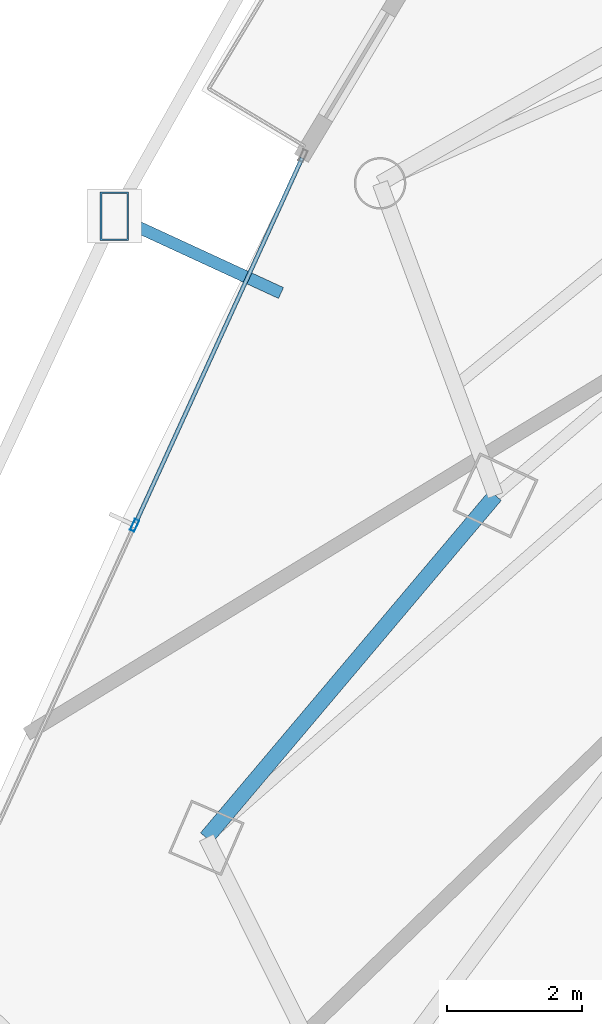
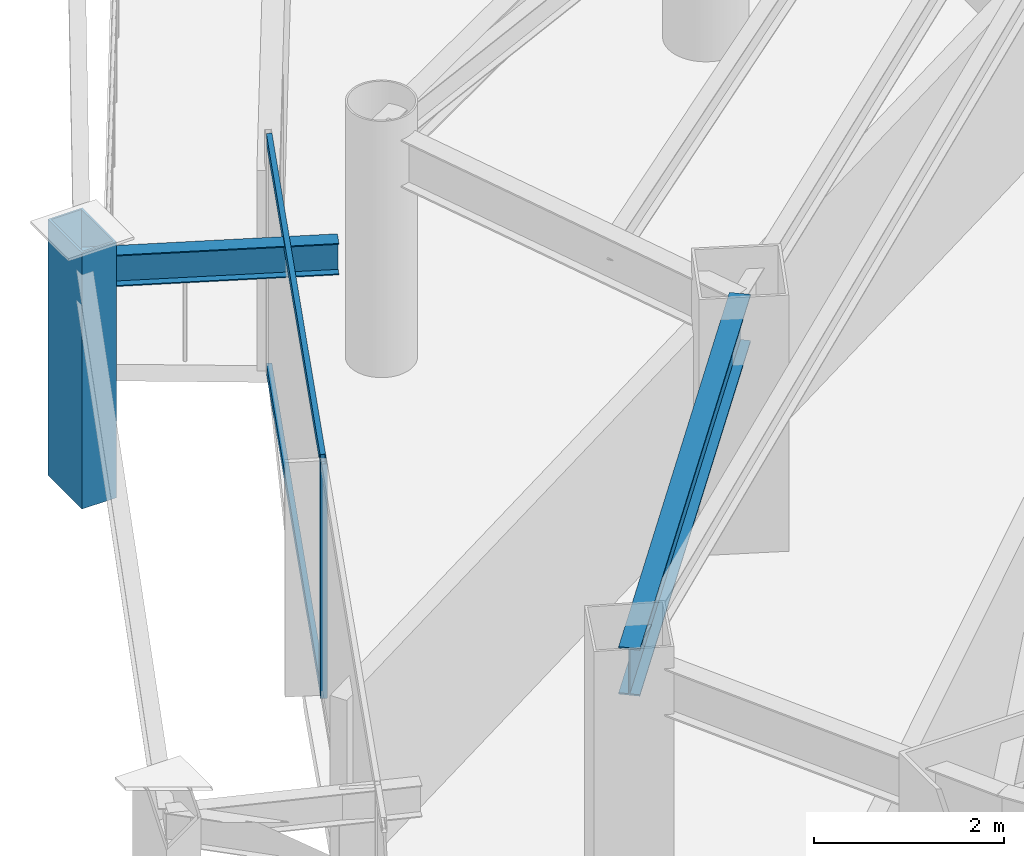
# One storey, part 8 of 33: 4 members, 2 beams, 1 element without a shape of its own.
"""IFC4 building model written with IfcOpenShell, lengths in metres."""

from ifc_helpers import new_model, si_unit, direction, frame, origin, origin_2d, place, context, subcontext, project, spatial, hollow_rectangle, i_section, extrude, material, layer, layer_set, material_profile, profile_set, type_object, element, aggregate, save


model = new_model("IFC4")

# Units and contexts
model_context = context("Model", 3, precision=1e-05, world=origin(), true_north=direction((0.0, 1.0)))
body_context = subcontext(model_context, "Body", "Model", "MODEL_VIEW")
ifc_project = project(units=[si_unit("LENGTHUNIT", "METRE"), si_unit("AREAUNIT", "SQUARE_METRE"), si_unit("VOLUMEUNIT", "CUBIC_METRE"), si_unit("PLANEANGLEUNIT", "RADIAN"), si_unit("MASSUNIT", "GRAM", prefix="KILO")], contexts=[model_context])

# Site, building, storey
site_placement = place(None, origin())
site = spatial("IfcSite", under=ifc_project, at=site_placement, CompositionType="ELEMENT")
building_placement = place(site_placement, origin())
building = spatial("IfcBuilding", under=site, at=building_placement, Name="Orvanel Arch Residences", CompositionType="ELEMENT")
storey_placement = place(building_placement, frame((0.0, 0.0, 93.949951171875)))
storey = spatial("IfcBuildingStorey", under=building, at=storey_placement, Name="L26", CompositionType="ELEMENT", Elevation=93.949951171875)

# Member
ifc_material_1 = material(Name="Structural steel AS/NZS 3678 Grade 350", Category="steel")
ifc_material_profile_1 = material_profile(ifc_material_1, hollow_rectangle(XDim=0.419921875, YDim=0.719970703125, WallThickness=0.02490234375, at=origin_2d()), Name="RHS720x420x25")
ifc_profile_set_1 = profile_set([ifc_material_profile_1], Name="Structural steel AS/NZS 3678 Grade 350")
member_type_1 = type_object("IfcMemberType", Name="CH-720RHS-EXT", PredefinedType="CHORD", material=ifc_profile_set_1)
member_1_placement = place(storey_placement, frame((10.735107421875, 23.77099609375, 0.0), z_axis=(0.0, 0.0, 1.0), x_axis=(1.0, 0.0, 0.0)))
element("IfcMember", 1, at=member_1_placement, inside=storey, type_object=member_type_1, Name="L26 Outer Perimeter Frame Post 03", PredefinedType="CHORD", context=body_context, shape_type="SweptSolid", body=[
    extrude(hollow_rectangle(XDim=0.419921875, YDim=0.719970703125, WallThickness=0.02490234375, at=origin_2d()), origin(), (0.0, 0.0, 1.0), 3.300048828125),
])

# Curtain wall, member
ifc_material_2 = material(Name="Bronze-anodised aluminium AA6063-T6", Category="aluminium")
ifc_layer = layer(ifc_material_2, 0.179931640625)
ifc_layer_set = layer_set([ifc_layer], Name="Bronze-anodised aluminium AA6063-T6")
curtain_wall_type = type_object("IfcCurtainWallType", Name="CW2-LOW-SYS", PredefinedType="NOTDEFINED", material=ifc_layer_set)
curtain_wall_placement = place(storey_placement, origin())
curtain_wall = element("IfcCurtainWall", 2, at=curtain_wall_placement, inside=storey, type_object=curtain_wall_type, Name="L26 CW2-LOW-SYS Unitised Curtain Wall", PredefinedType="NOTDEFINED")
ifc_material_profile_2 = material_profile(ifc_material_2, hollow_rectangle(XDim=0.070068359375, YDim=0.179931640625, WallThickness=0.00439453125, at=origin_2d()), Name="ALU180x70x4.5")
ifc_profile_set_2 = profile_set([ifc_material_profile_2], Name="Bronze-anodised aluminium AA6063-T6")
member_type_2 = type_object("IfcMemberType", Name="MUL-180x70", PredefinedType="MULLION", material=ifc_profile_set_2)
member_2_placement = place(storey_placement, frame((11.033447265625, 19.20068359375, 0.0), z_axis=(0.0, 0.0, 1.0), x_axis=(0.909823071027, -0.414996360739, 0.0)))
member_2 = element("IfcMember", 3, at=member_2_placement, type_object=member_type_2, Name="CW-S2 mullion 2", PredefinedType="MULLION", context=body_context, shape_type="SweptSolid", body=[
    extrude(hollow_rectangle(XDim=0.070068359375, YDim=0.179931640625, WallThickness=0.00439453125, at=origin_2d()), origin(), (0.0, 0.0, 1.0), 3.02001953125),
])

# Beams
ifc_material_3 = material(Name="Structural steel AS/NZS 3679.1 Grade 300 (300 MPa)", Category="steel")
ifc_material_profile_3 = material_profile(ifc_material_3, i_section(OverallWidth=0.177978515625, OverallDepth=0.406005859375, WebThickness=0.0078125, FlangeThickness=0.0126953125, at=origin_2d()), Name="410UB59.7")
ifc_profile_set_3 = profile_set([ifc_material_profile_3], Name="Structural steel AS/NZS 3679.1 Grade 300 (300 MPa)")
beam_type_1 = type_object("IfcBeamType", Name="OB-410UB-EXT", PredefinedType="SPANDREL", material=ifc_profile_set_3)
beam_1_placement = place(storey_placement, frame((13.197998046875, 22.634033203125, 2.817138671875), z_axis=(-0.907925137373, 0.419132371604, 0.0), x_axis=(-0.419132371604, -0.907925137373, 0.0)))
element("IfcBeam", 4, at=beam_1_placement, inside=storey, type_object=beam_type_1, Name="L26 Outer Frame Radial Tie Beam 03", PredefinedType="SPANDREL", context=body_context, shape_type="SweptSolid", body=[
    extrude(i_section(OverallWidth=0.177978515625, OverallDepth=0.406005859375, WebThickness=0.0078125, FlangeThickness=0.0126953125, at=origin_2d()), origin(), (0.0, 0.0, 1.0), 2.712646484375),
])
ifc_material_profile_4 = material_profile(ifc_material_3, i_section(OverallWidth=0.22900390625, OverallDepth=0.612060546875, WebThickness=0.011962890625, FlangeThickness=0.01953125, at=origin_2d()), Name="610UB125")
ifc_profile_set_4 = profile_set([ifc_material_profile_4], Name="Structural steel AS/NZS 3679.1 Grade 300 (300 MPa)")
beam_type_2 = type_object("IfcBeamType", Name="SP-610UB", PredefinedType="SPANDREL", material=ifc_profile_set_4)
beam_2_placement = place(storey_placement, frame((16.366943359375, 19.64208984375, 2.714111328125), z_axis=(-0.644950329775, -0.764224490659, 0.0), x_axis=(0.764224490659, -0.644950329775, 0.0)))
element("IfcBeam", 5, at=beam_2_placement, inside=storey, type_object=beam_type_2, Name="L26 Perimeter Spandrel Beam 01", PredefinedType="SPANDREL", context=body_context, shape_type="SweptSolid", body=[
    extrude(i_section(OverallWidth=0.22900390625, OverallDepth=0.612060546875, WebThickness=0.011962890625, FlangeThickness=0.01953125, at=origin_2d()), origin(), (0.0, 0.0, 1.0), 6.623779296875),
])

# Member
ifc_material_profile_5 = material_profile(ifc_material_2, hollow_rectangle(XDim=0.06005859375, YDim=0.135009765625, WallThickness=0.00390625, at=origin_2d()), Name="ALU135x60x4")
ifc_profile_set_5 = profile_set([ifc_material_profile_5], Name="Bronze-anodised aluminium AA6063-T6")
member_type_3 = type_object("IfcMemberType", Name="TRN-135x60", PredefinedType="USERDEFINED", material=ifc_profile_set_5)
member_3_placement = place(storey_placement, frame((13.510009765625, 24.63037109375, 0.030029296875), z_axis=(-0.414996216051, -0.909823137024, 0.0), x_axis=(0.909823137024, -0.414996216051, 0.0)))
member_3 = element("IfcMember", 6, at=member_3_placement, type_object=member_type_3, Name="CW-S2 transom 1.1", ObjectType="TRANSOM", PredefinedType="USERDEFINED", context=body_context, shape_type="SweptSolid", body=[
    extrude(hollow_rectangle(XDim=0.06005859375, YDim=0.135009765625, WallThickness=0.00390625, at=origin_2d()), origin(), (0.0, 0.0, 1.0), 5.932861328125),
])

member_4_placement = place(storey_placement, frame((13.510009765625, 24.63037109375, 2.989990234375), z_axis=(-0.414996216051, -0.909823137024, 0.0), x_axis=(0.909823137024, -0.414996216051, 0.0)))
member_4 = element("IfcMember", 7, at=member_4_placement, type_object=member_type_3, Name="CW-S2 transom 1.2", ObjectType="TRANSOM", PredefinedType="USERDEFINED", context=body_context, shape_type="SweptSolid", body=[
    extrude(hollow_rectangle(XDim=0.06005859375, YDim=0.135009765625, WallThickness=0.00390625, at=origin_2d()), origin(), (0.0, 0.0, 1.0), 5.932861328125),
])

aggregate(curtain_wall, [member_2, member_3, member_4])

save(model, "model.ifc")
